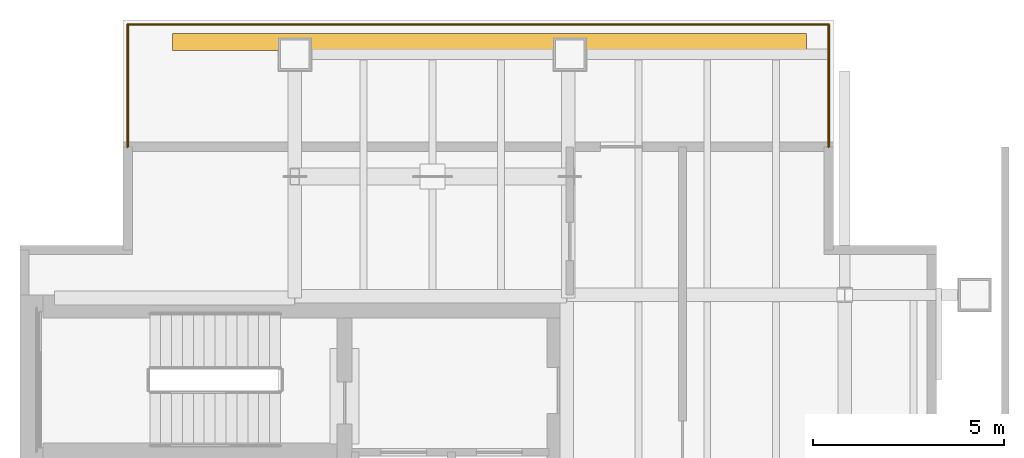
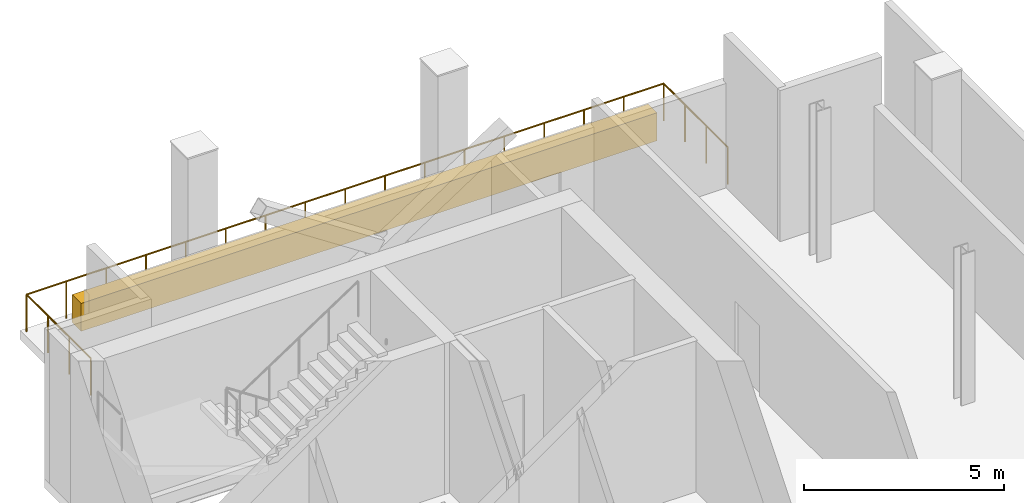
# One storey, part 8 of 8: 3 railings, 1 covering.
"""IFC4 building model written with IfcOpenShell, lengths in metres."""

import ifcopenshell
import ifcopenshell.guid

model = None  # the IFC model being written
_history = None  # IfcOwnerHistory: only IFC2X3 demands one
_inside = {}  # id of a spatial element -> (the spatial element, [elements in it])
_under = {}  # id of a project, library or spatial element -> (it, [spatial elements below it])
_declared = {}  # id of a project -> (the project, [libraries it declares])
_typed = {}  # id of a type object -> (the type object, [elements of that type])
_made_of = {}  # id of a material, layer set ... -> (it, [elements and type objects made of it])


def new_model(schema):
    """Start an empty IFC model of exactly this schema.

    Asked for "IFC4X3", IfcOpenShell would pick the latest addendum, in which some entities
    have other attributes; the version numbers below select the first issue.
    IFC2X3 requires an IfcOwnerHistory on every rooted entity: one is made here for all.
    """
    global model, _history
    if schema == "IFC4X3":
        model = ifcopenshell.file(schema_version=(4, 3, 0, 0))
    else:
        model = ifcopenshell.file(schema=schema)
    _inside.clear()
    _under.clear()
    _declared.clear()
    _typed.clear()
    _made_of.clear()
    _history = None
    if model.schema == "IFC2X3":
        org = make("IfcOrganization", Name="unknown")
        user = make(
            "IfcPersonAndOrganization",
            ThePerson=make("IfcPerson", FamilyName="unknown"),
            TheOrganization=org,
        )
        app = make(
            "IfcApplication",
            ApplicationDeveloper=org,
            Version="unknown",
            ApplicationFullName="unknown",
            ApplicationIdentifier="unknown",
        )
        _history = make(
            "IfcOwnerHistory",
            OwningUser=user,
            OwningApplication=app,
            ChangeAction="ADDED",
            CreationDate=0,
        )
    return model


def make(cls, **values):
    """One entity of the class cls with the attributes given. An attribute that is None is left unset."""
    return model.create_entity(
        cls, **{name: value for name, value in values.items() if value is not None}
    )


def rooted(cls, **values):
    """An entity with a GlobalId (a new one), such as an element, a storey or a relation."""
    return make(cls, GlobalId=ifcopenshell.guid.new(), OwnerHistory=_history, **values)


def si_unit(unit_type, name, prefix=None):
    """IfcSIUnit, for example si_unit("LENGTHUNIT", "METRE", prefix="MILLI")."""
    return make("IfcSIUnit", UnitType=unit_type, Prefix=prefix, Name=name)


def assignment(units):
    """IfcUnitAssignment: the units of a project."""
    return None if units is None else make("IfcUnitAssignment", Units=units)


def point(xyz):
    """IfcCartesianPoint."""
    return None if xyz is None else make("IfcCartesianPoint", Coordinates=xyz)


def direction(xyz):
    """IfcDirection."""
    return None if xyz is None else make("IfcDirection", DirectionRatios=xyz)


def frame(location, z_axis=None, x_axis=None):
    """IfcAxis2Placement3D, a coordinate frame: its origin and axes. An axis left out is left unset."""
    return make(
        "IfcAxis2Placement3D",
        Location=point(location),
        Axis=direction(z_axis),
        RefDirection=direction(x_axis),
    )


def frame_2d(location, x_axis=None):
    """IfcAxis2Placement2D, a coordinate frame in the plane: its origin and x axis."""
    return make(
        "IfcAxis2Placement2D", Location=point(location), RefDirection=direction(x_axis)
    )


def origin():
    """The frame at (0, 0, 0) with its axes left unset."""
    return frame((0.0, 0.0, 0.0))


def origin_2d():
    """The frame at (0, 0) in the plane with its x axis left unset."""
    return frame_2d((0.0, 0.0))


def place(relative_to, where):
    """IfcLocalPlacement: puts the frame where relative to a parent placement (None: the world)."""
    return make(
        "IfcLocalPlacement", PlacementRelTo=relative_to, RelativePlacement=where
    )


def context(
    kind, dimensions, precision=None, world=None, true_north=None, identifier=None
):
    """IfcGeometricRepresentationContext, for example the 3D "Model" context."""
    return make(
        "IfcGeometricRepresentationContext",
        ContextIdentifier=identifier,
        ContextType=kind,
        CoordinateSpaceDimension=dimensions,
        Precision=precision,
        WorldCoordinateSystem=world,
        TrueNorth=true_north,
    )


def subcontext(parent, identifier, kind, view, scale=None):
    """IfcGeometricRepresentationSubContext, for example "Body" below "Model"."""
    return make(
        "IfcGeometricRepresentationSubContext",
        ContextIdentifier=identifier,
        ContextType=kind,
        ParentContext=parent,
        TargetScale=scale,
        TargetView=view,
    )


def project(units=None, contexts=None):
    """IfcProject with its units and contexts."""
    return rooted(
        "IfcProject",
        Name="project",
        RepresentationContexts=contexts,
        UnitsInContext=assignment(units),
    )


def spatial(cls, under=None, at=None, **own):
    """A site, building, storey or space (cls), placed at a placement, below another one or the project."""
    s = rooted(cls, ObjectPlacement=at, **own)
    if under is not None:
        _under.setdefault(under.id(), (under, []))[1].append(s)
    return s


def polyline(points):
    """IfcPolyline through the points."""
    return make("IfcPolyline", Points=[point(p) for p in points])


def profile(cls, at=None, kind="AREA", **sizes):
    """A parametric profile (cls). Its sizes go by their IFC names, for example OverallWidth=200.0."""
    return make(cls, ProfileType=kind, Position=at, **sizes)


def circle(**sizes):
    """IfcCircleProfileDef."""
    return profile("IfcCircleProfileDef", **sizes)


def outline(outer, holes=None, kind="AREA"):
    """IfcArbitraryClosedProfileDef: a profile drawn as a closed curve; with holes, ...WithVoids."""
    if holes is None:
        return make("IfcArbitraryClosedProfileDef", ProfileType=kind, OuterCurve=outer)
    return make(
        "IfcArbitraryProfileDefWithVoids",
        ProfileType=kind,
        OuterCurve=outer,
        InnerCurves=holes,
    )


def extrude(swept, where, along, depth):
    """IfcExtrudedAreaSolid: the profile swept, set in the frame where, extruded along a direction by depth."""
    return make(
        "IfcExtrudedAreaSolid",
        SweptArea=swept,
        Position=where,
        ExtrudedDirection=direction(along),
        Depth=depth,
    )


def shape(context_of_items, identifier, shape_type, items):
    """IfcShapeRepresentation: the items that make up one representation, for example the "Body"."""
    return make(
        "IfcShapeRepresentation",
        ContextOfItems=context_of_items,
        RepresentationIdentifier=identifier,
        RepresentationType=shape_type,
        Items=items,
    )


def material(Name=None, Category=None):
    """IfcMaterial."""
    return make("IfcMaterial", Name=Name, Category=Category)


def layer(
    of_material, thickness, ventilated=None, Name=None, Category=None, Priority=None
):
    """IfcMaterialLayer: one layer of a wall or slab, of a material (None: an air gap)."""
    return make(
        "IfcMaterialLayer",
        Material=of_material,
        LayerThickness=thickness,
        IsVentilated=ventilated,
        Name=Name,
        Category=Category,
        Priority=Priority,
    )


def layer_set(layers, Name=None):
    """IfcMaterialLayerSet."""
    return make("IfcMaterialLayerSet", MaterialLayers=layers, LayerSetName=Name)


def made_of(thing, what):
    """Note that an element or type object is made of a material, layer set ...; save() writes the relation."""
    if what is not None:
        _made_of.setdefault(what.id(), (what, []))[1].append(thing)
    return thing


def type_object(cls, material=None, **own):
    """A type object (cls), such as IfcWallType, which elements share."""
    return made_of(rooted(cls, **own), material)


def element(
    cls,
    number,
    at=None,
    inside=None,
    cuts=None,
    type_object=None,
    material=None,
    context=None,
    identifier="Body",
    shape_type=None,
    held_by="IfcProductDefinitionShape",
    body=None,
    shapes=None,
    **own,
):
    """One element of the class cls, such as IfcWall. Its Tag is "e" and its number.

    at: its placement. inside: the storey or other place that contains it. cuts: it is an
    opening in that element (IfcRelVoidsElement). A single representation is given by context,
    identifier, shape_type and body (its items); several are given by shapes. held_by: the class
    of the entity that holds the representations. save() writes the other relations.
    """
    e = rooted(cls, Tag="e%d" % number, ObjectPlacement=at, **own)
    if body is not None:
        shapes = [shape(context, identifier, shape_type, body)]
    if shapes is not None:
        e.Representation = make(held_by, Representations=shapes)
    if inside is not None:
        _inside.setdefault(inside.id(), (inside, []))[1].append(e)
    if cuts is not None:
        rooted(
            "IfcRelVoidsElement", RelatingBuildingElement=cuts, RelatedOpeningElement=e
        )
    if type_object is not None:
        _typed.setdefault(type_object.id(), (type_object, []))[1].append(e)
    return made_of(e, material)


def aggregate(whole, parts):
    """IfcRelAggregates: a whole, such as a stair, and the parts it consists of."""
    return rooted("IfcRelAggregates", RelatingObject=whole, RelatedObjects=parts)


def save(model, path):
    """Write the relations noted so far, then the file.

    IfcRelAggregates (storeys below a building ...), IfcRelContainedInSpatialStructure (elements
    in a storey), IfcRelDefinesByType, IfcRelAssociatesMaterial and IfcRelDeclares: one each for
    every whole, place, type object, material and project.
    """
    for whole, parts in _under.values():
        aggregate(whole, parts)
    for where, things in _inside.values():
        rooted(
            "IfcRelContainedInSpatialStructure",
            RelatedElements=things,
            RelatingStructure=where,
        )
    for kind, things in _typed.values():
        rooted("IfcRelDefinesByType", RelatedObjects=things, RelatingType=kind)
    for what, things in _made_of.values():
        rooted("IfcRelAssociatesMaterial", RelatedObjects=things, RelatingMaterial=what)
    for by, libraries in _declared.values():
        rooted("IfcRelDeclares", RelatingContext=by, RelatedDefinitions=libraries)
    model.write(path)


model = new_model("IFC4")

# Units and contexts
model_context = context("Model", 3, precision=1e-05, world=origin(), true_north=direction((0.0, 1.0)))
body_context = subcontext(model_context, "Body", "Model", "MODEL_VIEW")
ifc_project = project(units=[si_unit("LENGTHUNIT", "METRE"), si_unit("AREAUNIT", "SQUARE_METRE"), si_unit("VOLUMEUNIT", "CUBIC_METRE"), si_unit("PLANEANGLEUNIT", "RADIAN"), si_unit("MASSUNIT", "GRAM", prefix="KILO")], contexts=[model_context])

# Site, building, storey
site_placement = place(None, origin())
site = spatial("IfcSite", under=ifc_project, at=site_placement, CompositionType="ELEMENT")
building_placement = place(site_placement, origin())
building = spatial("IfcBuilding", under=site, at=building_placement, Name="Cobrela Telecom Tower", CompositionType="ELEMENT")
storey_placement = place(building_placement, frame((0.0, 0.0, 163.800048828125)))
storey = spatial("IfcBuildingStorey", under=building, at=storey_placement, Name="L41", CompositionType="ELEMENT", Elevation=163.800048828125)

# Covering
ifc_material_1 = material(Name="Planted Vegetated Landscape Soil and Foliage System")
ifc_layer = layer(ifc_material_1, 0.85009765625)
ifc_layer_set = layer_set([ifc_layer], Name="Planted Vegetated Landscape Soil and Foliage System")
covering_type = type_object("IfcCoveringType", Name="PLANTER-BED-850", PredefinedType="USERDEFINED", material=ifc_layer_set)
covering_placement = place(storey_placement, origin())
element("IfcCovering", 1, at=covering_placement, inside=storey, type_object=covering_type, Name="L41 Sky Garden Planted Parapet Bed SG41-N", ObjectType="PLANTER", PredefinedType="USERDEFINED", context=body_context, shape_type="SweptSolid", body=[
    extrude(outline(polyline([(4.0, 42.39990234375), (20.60009765625, 42.39990234375), (20.60009765625, 42.85009765625), (4.0, 42.85009765625), (4.0, 42.39990234375)])), origin(), (0.0, 0.0, 1.0), 0.849853515625),
])

# Railings
ifc_material_2 = material(Name="Anodized Bronze Aluminium 6063-T6", Category="aluminium")
railing_type = type_object("IfcRailingType", Name="RAIL-BAL-1150", PredefinedType="BALUSTRADE", material=ifc_material_2)
railing_1_placement = place(storey_placement, frame((2.820068359375, 39.8798828125, 0.0)))
element("IfcRailing", 2, at=railing_1_placement, inside=storey, type_object=railing_type, Name="L41 Outdoor Terrace Perimeter Balustrade SG41-NW", PredefinedType="BALUSTRADE", context=body_context, shape_type="SweptSolid", body=[
    extrude(circle(Radius=0.02392578125, at=origin_2d()), frame((0.0, 0.0, 1.1259765625), z_axis=(0.0, 1.0, 0.0), x_axis=(-1.0, 0.0, 0.0)), (0.0, 0.0, 1.0), 3.2001953125),
    extrude(circle(Radius=0.02099609375, at=origin_2d()), origin(), (0.0, 0.0, 1.0), 1.101806640625),
    extrude(circle(Radius=0.02099609375, at=origin_2d()), frame((0.0, 1.066650390625, 0.0)), (0.0, 0.0, 1.0), 1.101806640625),
    extrude(circle(Radius=0.02099609375, at=origin_2d()), frame((0.0, 2.133544921875, 0.0)), (0.0, 0.0, 1.0), 1.101806640625),
    extrude(circle(Radius=0.02099609375, at=origin_2d()), frame((0.0, 3.2001953125, 0.0)), (0.0, 0.0, 1.0), 1.101806640625),
])
railing_2_placement = place(storey_placement, frame((2.820068359375, 43.080078125, 0.0)))
element("IfcRailing", 3, at=railing_2_placement, inside=storey, type_object=railing_type, Name="L41 Outdoor Terrace Perimeter Balustrade SG41-NN", PredefinedType="BALUSTRADE", context=body_context, shape_type="SweptSolid", body=[
    extrude(circle(Radius=0.02392578125, at=origin_2d()), frame((0.0, 0.0, 1.1259765625), z_axis=(1.0, 0.0, 0.0), x_axis=(0.0, 1.0, 0.0)), (0.0, 0.0, 1.0), 18.35986328125),
    extrude(circle(Radius=0.02099609375, at=origin_2d()), origin(), (0.0, 0.0, 1.0), 1.101806640625),
    extrude(circle(Radius=0.02099609375, at=origin_2d()), frame((1.1474609375, 0.0, 0.0)), (0.0, 0.0, 1.0), 1.101806640625),
    extrude(circle(Radius=0.02099609375, at=origin_2d()), frame((2.294921875, 0.0, 0.0)), (0.0, 0.0, 1.0), 1.101806640625),
    extrude(circle(Radius=0.02099609375, at=origin_2d()), frame((3.4423828125, 0.0, 0.0)), (0.0, 0.0, 1.0), 1.101806640625),
    extrude(circle(Radius=0.02099609375, at=origin_2d()), frame((4.58984375, 0.0, 0.0)), (0.0, 0.0, 1.0), 1.101806640625),
    extrude(circle(Radius=0.02099609375, at=origin_2d()), frame((5.737548828125, 0.0, 0.0)), (0.0, 0.0, 1.0), 1.101806640625),
    extrude(circle(Radius=0.02099609375, at=origin_2d()), frame((6.885009765625, 0.0, 0.0)), (0.0, 0.0, 1.0), 1.101806640625),
    extrude(circle(Radius=0.02099609375, at=origin_2d()), frame((8.032470703125, 0.0, 0.0)), (0.0, 0.0, 1.0), 1.101806640625),
    extrude(circle(Radius=0.02099609375, at=origin_2d()), frame((9.179931640625, 0.0, 0.0)), (0.0, 0.0, 1.0), 1.101806640625),
    extrude(circle(Radius=0.02099609375, at=origin_2d()), frame((10.327392578125, 0.0, 0.0)), (0.0, 0.0, 1.0), 1.101806640625),
    extrude(circle(Radius=0.02099609375, at=origin_2d()), frame((11.474853515625, 0.0, 0.0)), (0.0, 0.0, 1.0), 1.101806640625),
    extrude(circle(Radius=0.02099609375, at=origin_2d()), frame((12.622314453125, 0.0, 0.0)), (0.0, 0.0, 1.0), 1.101806640625),
    extrude(circle(Radius=0.02099609375, at=origin_2d()), frame((13.77001953125, 0.0, 0.0)), (0.0, 0.0, 1.0), 1.101806640625),
    extrude(circle(Radius=0.02099609375, at=origin_2d()), frame((14.91748046875, 0.0, 0.0)), (0.0, 0.0, 1.0), 1.101806640625),
    extrude(circle(Radius=0.02099609375, at=origin_2d()), frame((16.06494140625, 0.0, 0.0)), (0.0, 0.0, 1.0), 1.101806640625),
    extrude(circle(Radius=0.02099609375, at=origin_2d()), frame((17.21240234375, 0.0, 0.0)), (0.0, 0.0, 1.0), 1.101806640625),
    extrude(circle(Radius=0.02099609375, at=origin_2d()), frame((18.35986328125, 0.0, 0.0)), (0.0, 0.0, 1.0), 1.101806640625),
])
railing_3_placement = place(storey_placement, frame((21.179931640625, 43.080078125, 0.0)))
element("IfcRailing", 4, at=railing_3_placement, inside=storey, type_object=railing_type, Name="L41 Outdoor Terrace Perimeter Balustrade SG41-NE", PredefinedType="BALUSTRADE", context=body_context, shape_type="SweptSolid", body=[
    extrude(circle(Radius=0.02392578125, at=origin_2d()), frame((0.0, 0.0, 1.1259765625), z_axis=(0.0, -1.0, 0.0), x_axis=(1.0, 0.0, 0.0)), (0.0, 0.0, 1.0), 3.2001953125),
    extrude(circle(Radius=0.02099609375, at=origin_2d()), origin(), (0.0, 0.0, 1.0), 1.101806640625),
    extrude(circle(Radius=0.02099609375, at=origin_2d()), frame((0.0, -1.066650390625, 0.0)), (0.0, 0.0, 1.0), 1.101806640625),
    extrude(circle(Radius=0.02099609375, at=origin_2d()), frame((0.0, -2.133544921875, 0.0)), (0.0, 0.0, 1.0), 1.101806640625),
    extrude(circle(Radius=0.02099609375, at=origin_2d()), frame((0.0, -3.2001953125, 0.0)), (0.0, 0.0, 1.0), 1.101806640625),
])

save(model, "model.ifc")
